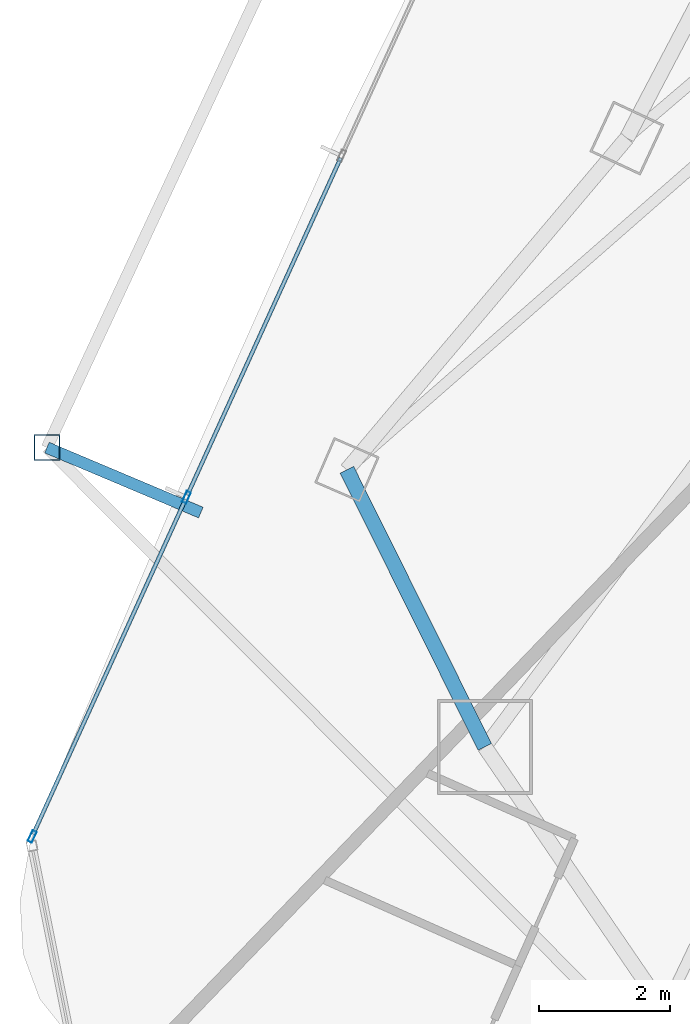
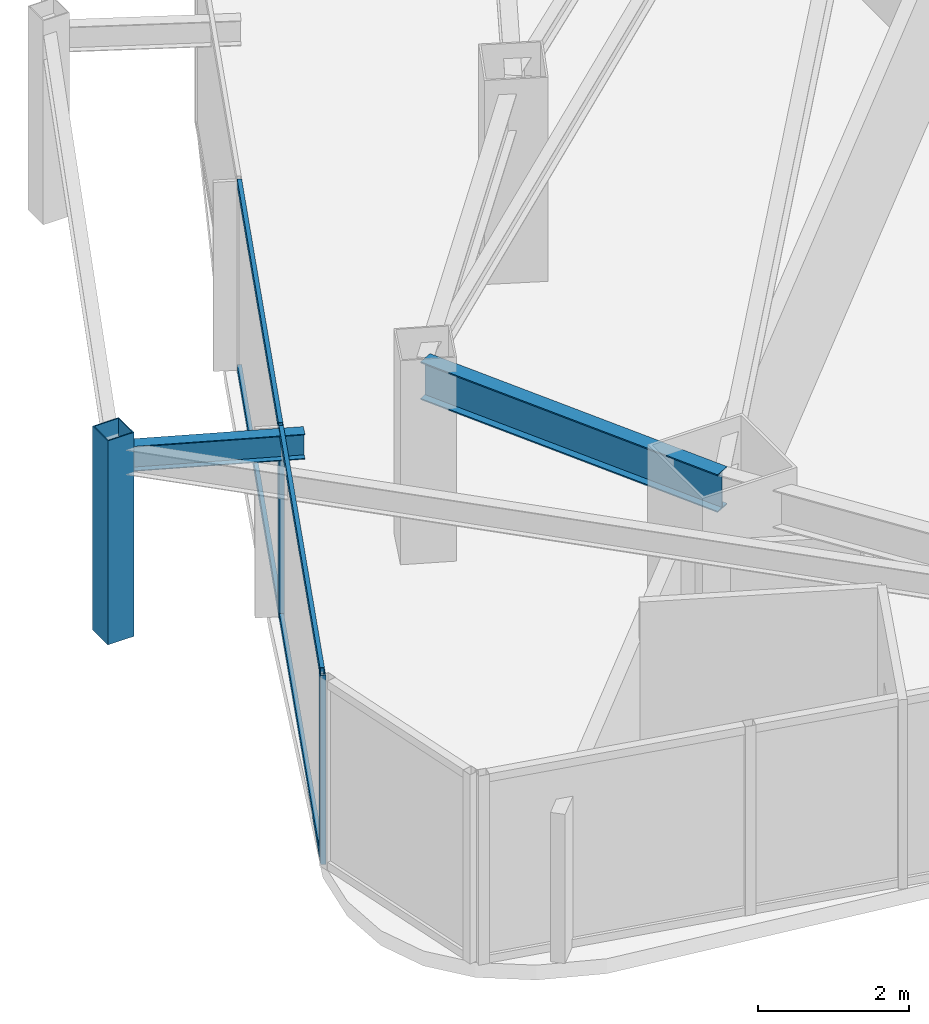
# One storey, part 4 of 31: 7 members, 2 beams, 1 element without a shape of its own.
"""IFC4 building model written with IfcOpenShell, lengths in metres."""

from ifc_helpers import new_model, si_unit, direction, frame, origin, origin_2d, place, context, subcontext, project, spatial, hollow_rectangle, i_section, extrude, material, layer, layer_set, material_profile, profile_set, type_object, element, aggregate, save


model = new_model("IFC4")

# Units and contexts
model_context = context("Model", 3, precision=1e-05, world=origin(), true_north=direction((0.0, 1.0)))
body_context = subcontext(model_context, "Body", "Model", "MODEL_VIEW")
ifc_project = project(units=[si_unit("LENGTHUNIT", "METRE"), si_unit("AREAUNIT", "SQUARE_METRE"), si_unit("VOLUMEUNIT", "CUBIC_METRE"), si_unit("PLANEANGLEUNIT", "RADIAN"), si_unit("MASSUNIT", "GRAM", prefix="KILO")], contexts=[model_context])

# Site, building, storey
site_placement = place(None, origin())
site = spatial("IfcSite", under=ifc_project, at=site_placement, CompositionType="ELEMENT")
building_placement = place(site_placement, origin())
building = spatial("IfcBuilding", under=site, at=building_placement, Name="Orvanel Arch Residences", CompositionType="ELEMENT")
storey_placement = place(building_placement, frame((0.0, 0.0, 126.5)))
storey = spatial("IfcBuildingStorey", under=building, at=storey_placement, Name="L35", CompositionType="ELEMENT", Elevation=126.5)

# Curtain wall, members
ifc_material_1 = material(Name="Bronze-anodised aluminium AA6063-T6", Category="aluminium")
ifc_layer = layer(ifc_material_1, 0.179931640625)
ifc_layer_set = layer_set([ifc_layer], Name="Bronze-anodised aluminium AA6063-T6")
curtain_wall_type = type_object("IfcCurtainWallType", Name="CW3-MID-SYS", PredefinedType="NOTDEFINED", material=ifc_layer_set)
curtain_wall_placement = place(storey_placement, origin())
curtain_wall = element("IfcCurtainWall", 1, at=curtain_wall_placement, inside=storey, type_object=curtain_wall_type, Name="L35 CW3-MID-SYS Unitised Curtain Wall", PredefinedType="NOTDEFINED")
ifc_material_profile_1 = material_profile(ifc_material_1, hollow_rectangle(XDim=0.070068359375, YDim=0.179931640625, WallThickness=0.00439453125, at=origin_2d()), Name="ALU180x70x4.5")
ifc_profile_set_1 = profile_set([ifc_material_profile_1], Name="Bronze-anodised aluminium AA6063-T6")
member_type_1 = type_object("IfcMemberType", Name="MUL-180x70", PredefinedType="MULLION", material=ifc_profile_set_1)
member_1_placement = place(storey_placement, frame((9.645751953125, 14.16162109375, 0.0), z_axis=(0.0, 0.0, 1.0), x_axis=(0.91032458365, -0.413895098306, 0.0)))
member_1 = element("IfcMember", 2, at=member_1_placement, type_object=member_type_1, Name="CW-S3 mullion 3", PredefinedType="MULLION", context=body_context, shape_type="SweptSolid", body=[
    extrude(hollow_rectangle(XDim=0.070068359375, YDim=0.179931640625, WallThickness=0.00439453125, at=origin_2d()), origin(), (0.0, 0.0, 1.0), 3.06005859375),
])
member_2_placement = place(storey_placement, frame((7.29150390625, 8.98388671875, 0.0), z_axis=(0.0, 0.0, 1.0), x_axis=(0.91032458365, -0.413895098306, 0.0)))
member_2 = element("IfcMember", 3, at=member_2_placement, type_object=member_type_1, Name="CW-S3 mullion 4", PredefinedType="MULLION", context=body_context, shape_type="SweptSolid", body=[
    extrude(hollow_rectangle(XDim=0.070068359375, YDim=0.179931640625, WallThickness=0.00439453125, at=origin_2d()), origin(), (0.0, 0.0, 1.0), 3.06005859375),
])

# Beams
ifc_material_2 = material(Name="Structural steel AS/NZS 3679.1 Grade 300 (300 MPa)", Category="steel")
ifc_material_profile_2 = material_profile(ifc_material_2, i_section(OverallWidth=0.177978515625, OverallDepth=0.406005859375, WebThickness=0.0078125, FlangeThickness=0.0126953125, at=origin_2d()), Name="410UB59.7")
ifc_profile_set_2 = profile_set([ifc_material_profile_2], Name="Structural steel AS/NZS 3679.1 Grade 300 (300 MPa)")
beam_type_1 = type_object("IfcBeamType", Name="OB-410UB-EXT", PredefinedType="SPANDREL", material=ifc_profile_set_2)
beam_1_placement = place(storey_placement, frame((9.865966796875, 13.927978515625, 2.85693359375), z_axis=(-0.921359337882, 0.388711937684, 0.0), x_axis=(-0.388711937684, -0.921359337882, 0.0)))
element("IfcBeam", 4, at=beam_1_placement, inside=storey, type_object=beam_type_1, Name="L35 Outer Frame Radial Tie Beam 04", PredefinedType="SPANDREL", context=body_context, shape_type="SweptSolid", body=[
    extrude(i_section(OverallWidth=0.177978515625, OverallDepth=0.406005859375, WebThickness=0.0078125, FlangeThickness=0.0126953125, at=origin_2d()), origin(), (0.0, 0.0, 1.0), 2.54931640625),
])
ifc_material_profile_3 = material_profile(ifc_material_2, i_section(OverallWidth=0.22900390625, OverallDepth=0.612060546875, WebThickness=0.011962890625, FlangeThickness=0.01953125, at=origin_2d()), Name="610UB125")
ifc_profile_set_3 = profile_set([ifc_material_profile_3], Name="Structural steel AS/NZS 3679.1 Grade 300 (300 MPa)")
beam_type_2 = type_object("IfcBeamType", Name="SP-610UB", PredefinedType="SPANDREL", material=ifc_profile_set_3)
beam_2_placement = place(storey_placement, frame((12.094970703125, 14.580078125, 2.75390625), z_axis=(0.44543469453, -0.895314432425, 0.0), x_axis=(0.895314432425, 0.44543469453, 0.0)))
element("IfcBeam", 5, at=beam_2_placement, inside=storey, type_object=beam_type_2, Name="L35 Perimeter Spandrel Beam 02", PredefinedType="SPANDREL", context=body_context, shape_type="SweptSolid", body=[
    extrude(i_section(OverallWidth=0.22900390625, OverallDepth=0.612060546875, WebThickness=0.011962890625, FlangeThickness=0.01953125, at=origin_2d()), origin(), (0.0, 0.0, 1.0), 4.723388671875),
])

# Member
ifc_material_3 = material(Name="Structural steel AS/NZS 1163 C450L0 (Grade 450)", Category="steel")
ifc_material_profile_4 = material_profile(ifc_material_3, hollow_rectangle(XDim=0.39990234375, YDim=0.39990234375, WallThickness=0.01611328125, at=origin_2d()), Name="SHS400x400x16")
ifc_profile_set_4 = profile_set([ifc_material_profile_4], Name="Structural steel AS/NZS 1163 C450L0 (Grade 450)")
member_type_2 = type_object("IfcMemberType", Name="ST-400SHS-EXT", PredefinedType="STRUT", material=ifc_profile_set_4)
member_3_placement = place(storey_placement, frame((7.51708984375, 14.9189453125, 0.0), z_axis=(0.0, 0.0, 1.0), x_axis=(1.0, 0.0, 0.0)))
element("IfcMember", 6, at=member_3_placement, inside=storey, type_object=member_type_2, Name="L35 Outer Perimeter Frame Post 04", PredefinedType="STRUT", context=body_context, shape_type="SweptSolid", body=[
    extrude(hollow_rectangle(XDim=0.39990234375, YDim=0.39990234375, WallThickness=0.01611328125, at=origin_2d()), origin(), (0.0, 0.0, 1.0), 3.300048828125),
])

ifc_material_profile_5 = material_profile(ifc_material_1, hollow_rectangle(XDim=0.06005859375, YDim=0.135009765625, WallThickness=0.00390625, at=origin_2d()), Name="ALU135x60x4")
ifc_profile_set_5 = profile_set([ifc_material_profile_5], Name="Bronze-anodised aluminium AA6063-T6")
member_type_3 = type_object("IfcMemberType", Name="TRN-135x60", PredefinedType="USERDEFINED", material=ifc_profile_set_5)
member_4_placement = place(storey_placement, frame((11.999755859375, 19.33935546875, 0.030029296875), z_axis=(-0.413894056323, -0.910325057406, 0.0), x_axis=(0.910325057406, -0.413894056323, 0.0)))
member_4 = element("IfcMember", 7, at=member_4_placement, type_object=member_type_3, Name="CW-S3 transom 2.1", ObjectType="TRANSOM", PredefinedType="USERDEFINED", context=body_context, shape_type="SweptSolid", body=[
    extrude(hollow_rectangle(XDim=0.06005859375, YDim=0.135009765625, WallThickness=0.00390625, at=origin_2d()), origin(), (0.0, 0.0, 1.0), 5.652587890625),
])

member_5_placement = place(storey_placement, frame((11.999755859375, 19.33935546875, 3.030029296875), z_axis=(-0.413894056323, -0.910325057406, 0.0), x_axis=(0.910325057406, -0.413894056323, 0.0)))
member_5 = element("IfcMember", 8, at=member_5_placement, type_object=member_type_3, Name="CW-S3 transom 2.2", ObjectType="TRANSOM", PredefinedType="USERDEFINED", context=body_context, shape_type="SweptSolid", body=[
    extrude(hollow_rectangle(XDim=0.06005859375, YDim=0.135009765625, WallThickness=0.00390625, at=origin_2d()), origin(), (0.0, 0.0, 1.0), 5.652587890625),
])

member_6_placement = place(storey_placement, frame((9.631103515625, 14.1298828125, 0.030029296875), z_axis=(-0.413881521981, -0.910330756243, 0.0), x_axis=(0.910330756243, -0.413881521981, 0.0)))
member_6 = element("IfcMember", 9, at=member_6_placement, type_object=member_type_3, Name="CW-S3 transom 3.1", ObjectType="TRANSOM", PredefinedType="USERDEFINED", context=body_context, shape_type="SweptSolid", body=[
    extrude(hollow_rectangle(XDim=0.06005859375, YDim=0.135009765625, WallThickness=0.00390625, at=origin_2d()), origin(), (0.0, 0.0, 1.0), 5.617919921875),
])

member_7_placement = place(storey_placement, frame((9.631103515625, 14.1298828125, 3.030029296875), z_axis=(-0.413881521981, -0.910330756243, 0.0), x_axis=(0.910330756243, -0.413881521981, 0.0)))
member_7 = element("IfcMember", 10, at=member_7_placement, type_object=member_type_3, Name="CW-S3 transom 3.2", ObjectType="TRANSOM", PredefinedType="USERDEFINED", context=body_context, shape_type="SweptSolid", body=[
    extrude(hollow_rectangle(XDim=0.06005859375, YDim=0.135009765625, WallThickness=0.00390625, at=origin_2d()), origin(), (0.0, 0.0, 1.0), 5.617919921875),
])

aggregate(curtain_wall, [member_1, member_2, member_4, member_5, member_6, member_7])

save(model, "model.ifc")
